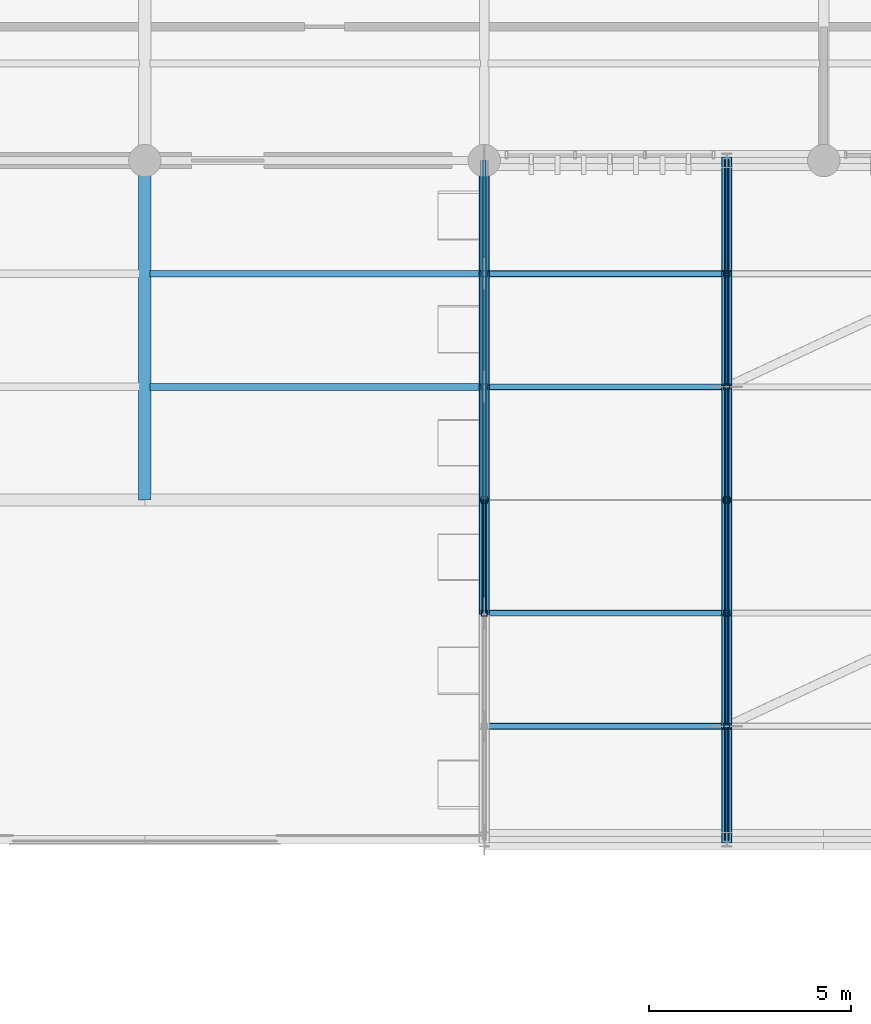
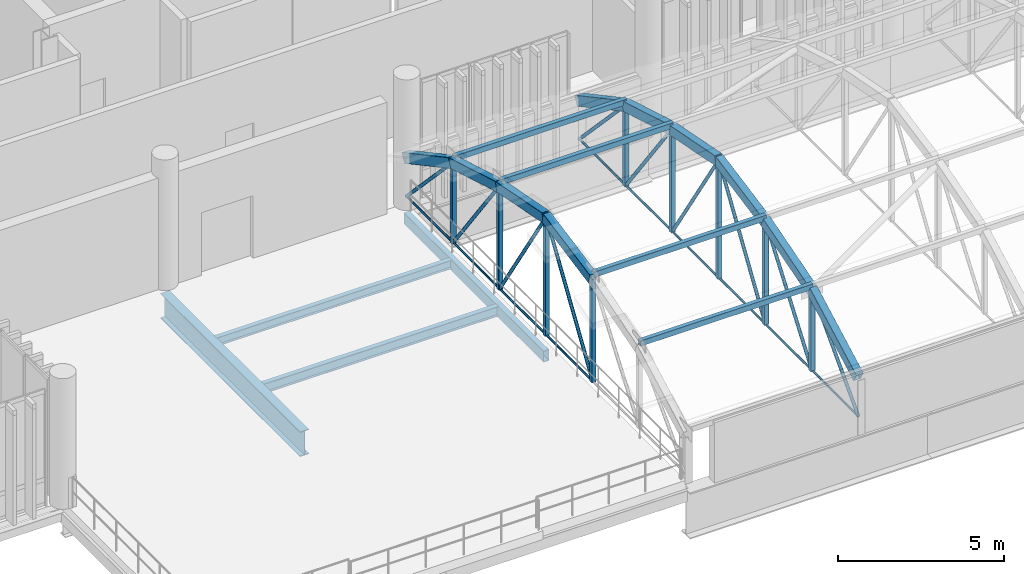
# One storey, part 26 of 109: 33 members, 14 beams.
"""IFC4 building model written with IfcOpenShell, lengths in metres."""

from ifc_helpers import new_model, si_unit, direction, frame, origin_with_axes, origin_2d_with_axis, place, context, subcontext, project, spatial, hollow_rectangle, circle, hollow_circle, i_section, extrude, material, material_profile, profile_set, type_object, element, save


model = new_model("IFC4")

# Units and contexts
model_context = context("Model", 3, precision=1e-05, world=origin_with_axes(), true_north=direction((0.0, 1.0)))
body_context = subcontext(model_context, "Body", "Model", "MODEL_VIEW")
ifc_project = project(units=[si_unit("LENGTHUNIT", "METRE"), si_unit("AREAUNIT", "SQUARE_METRE"), si_unit("VOLUMEUNIT", "CUBIC_METRE"), si_unit("PLANEANGLEUNIT", "RADIAN"), si_unit("MASSUNIT", "GRAM", prefix="KILO"), si_unit("THERMODYNAMICTEMPERATUREUNIT", "KELVIN")], contexts=[model_context])

# Site, building, storey
site_placement = place(None, origin_with_axes())
site = spatial("IfcSite", under=ifc_project, at=site_placement, CompositionType="ELEMENT")
building_placement = place(site_placement, origin_with_axes())
building = spatial("IfcBuilding", under=site, at=building_placement, Name="Montbau Bow Law Courts", CompositionType="ELEMENT")
storey_placement = place(building_placement, frame((0.0, 0.0, 10.8), z_axis=(0.0, 0.0, 1.0), x_axis=(1.0, 0.0, 0.0)))
storey = spatial("IfcBuildingStorey", under=building, at=storey_placement, Name="L02", CompositionType="ELEMENT", Elevation=10.8)

# Beams
ifc_material_1 = material(Name="Steel CSA G40.21 Grade 350WT (350 MPa)", Category="steel")
ifc_material_profile_1 = material_profile(ifc_material_1, hollow_rectangle(XDim=0.254, YDim=0.356, WallThickness=0.0127, InnerFilletRadius=0.0254, OuterFilletRadius=0.0127, at=origin_2d_with_axis()), Name="HSS356X254X13", Category="Main", Priority=0)
ifc_profile_set_1 = profile_set([ifc_material_profile_1], Name="Steel CSA G40.21 Grade 350WT (350 MPa)")
beam_type_1 = type_object("IfcBeamType", Name="B-ARC-01", PredefinedType="USERDEFINED", material=ifc_profile_set_1)
for number, where, z_axis, x_axis, name in (
    (1, (63.6, 27.8, 14.834), (0.0, 0.981513084, 0.191395051), (-1.0, 0.0, 0.0), "Barrel vault roof truss arch rib V4-051"),
    (2, (63.6, 30.6, 15.38), (0.0, 0.981513084, -0.191395051), (-1.0, 0.0, 0.0), "Barrel vault roof truss arch rib V4-052"),
):
    element("IfcBeam", number, at=place(None, frame(where, z_axis=z_axis, x_axis=x_axis)), inside=storey, type_object=beam_type_1, Name=name, ObjectType="ARCH_RIB", PredefinedType="USERDEFINED", context=body_context, shape_type="SweptSolid", body=[
        extrude(hollow_rectangle(XDim=0.254, YDim=0.356, WallThickness=0.0127, InnerFilletRadius=0.0254, OuterFilletRadius=0.0127, at=origin_2d_with_axis()), origin_with_axes(), (0.0, 0.0, 1.0), 2.852738),
    ])
beam_1_placement = place(None, frame((63.6, 33.4, 14.834), z_axis=(0.0, 0.958856822, -0.283890109), x_axis=(-1.0, 0.0, 0.0)))
element("IfcBeam", 3, at=beam_1_placement, inside=storey, type_object=beam_type_1, Name="Barrel vault roof truss arch rib V4-053", ObjectType="ARCH_RIB", PredefinedType="USERDEFINED", context=body_context, shape_type="SweptSolid", body=[
    extrude(hollow_rectangle(XDim=0.254, YDim=0.356, WallThickness=0.0127, InnerFilletRadius=0.0254, OuterFilletRadius=0.0127, at=origin_2d_with_axis()), origin_with_axes(), (0.0, 0.0, 1.0), 2.920144),
])
for number, where, z_axis, x_axis, name in (
    (4, (63.6, 36.2, 14.005), (0.0, 0.880824397, -0.473443113), (-1.0, 0.0, 0.0), "Barrel vault roof truss arch rib V4-054"),
    (5, (69.6, 22.2, 12.5), (0.0, 0.880824397, 0.473443113), (-1.0, 0.0, 0.0), "Barrel vault roof truss arch rib V4-055"),
):
    element("IfcBeam", number, at=place(None, frame(where, z_axis=z_axis, x_axis=x_axis)), inside=storey, type_object=beam_type_1, Name=name, ObjectType="ARCH_RIB", PredefinedType="USERDEFINED", context=body_context, shape_type="SweptSolid", body=[
        extrude(hollow_rectangle(XDim=0.254, YDim=0.356, WallThickness=0.0127, InnerFilletRadius=0.0254, OuterFilletRadius=0.0127, at=origin_2d_with_axis()), origin_with_axes(), (0.0, 0.0, 1.0), 3.17884),
    ])
beam_2_placement = place(None, frame((69.6, 25.0, 14.005), z_axis=(0.0, 0.958856822, 0.283890109), x_axis=(-1.0, 0.0, 0.0)))
element("IfcBeam", 6, at=beam_2_placement, inside=storey, type_object=beam_type_1, Name="Barrel vault roof truss arch rib V4-056", ObjectType="ARCH_RIB", PredefinedType="USERDEFINED", context=body_context, shape_type="SweptSolid", body=[
    extrude(hollow_rectangle(XDim=0.254, YDim=0.356, WallThickness=0.0127, InnerFilletRadius=0.0254, OuterFilletRadius=0.0127, at=origin_2d_with_axis()), origin_with_axes(), (0.0, 0.0, 1.0), 2.920144),
])
for number, where, z_axis, x_axis, name in (
    (7, (69.6, 27.8, 14.834), (0.0, 0.981513084, 0.191395051), (-1.0, 0.0, 0.0), "Barrel vault roof truss arch rib V4-057"),
    (8, (69.6, 30.6, 15.38), (0.0, 0.981513084, -0.191395051), (-1.0, 0.0, 0.0), "Barrel vault roof truss arch rib V4-058"),
):
    element("IfcBeam", number, at=place(None, frame(where, z_axis=z_axis, x_axis=x_axis)), inside=storey, type_object=beam_type_1, Name=name, ObjectType="ARCH_RIB", PredefinedType="USERDEFINED", context=body_context, shape_type="SweptSolid", body=[
        extrude(hollow_rectangle(XDim=0.254, YDim=0.356, WallThickness=0.0127, InnerFilletRadius=0.0254, OuterFilletRadius=0.0127, at=origin_2d_with_axis()), origin_with_axes(), (0.0, 0.0, 1.0), 2.852738),
    ])
beam_3_placement = place(None, frame((69.6, 33.4, 14.834), z_axis=(0.0, 0.958856822, -0.283890109), x_axis=(-1.0, 0.0, 0.0)))
element("IfcBeam", 9, at=beam_3_placement, inside=storey, type_object=beam_type_1, Name="Barrel vault roof truss arch rib V4-059", ObjectType="ARCH_RIB", PredefinedType="USERDEFINED", context=body_context, shape_type="SweptSolid", body=[
    extrude(hollow_rectangle(XDim=0.254, YDim=0.356, WallThickness=0.0127, InnerFilletRadius=0.0254, OuterFilletRadius=0.0127, at=origin_2d_with_axis()), origin_with_axes(), (0.0, 0.0, 1.0), 2.920144),
])
beam_4_placement = place(None, frame((69.6, 36.2, 14.005), z_axis=(0.0, 0.880824397, -0.473443113), x_axis=(-1.0, 0.0, 0.0)))
element("IfcBeam", 10, at=beam_4_placement, inside=storey, type_object=beam_type_1, Name="Barrel vault roof truss arch rib V4-060", ObjectType="ARCH_RIB", PredefinedType="USERDEFINED", context=body_context, shape_type="SweptSolid", body=[
    extrude(hollow_rectangle(XDim=0.254, YDim=0.356, WallThickness=0.0127, InnerFilletRadius=0.0254, OuterFilletRadius=0.0127, at=origin_2d_with_axis()), origin_with_axes(), (0.0, 0.0, 1.0), 3.17884),
])
ifc_material_2 = material(Name="Steel CSA G40.21 Grade 350W (350 MPa)", Category="steel")
ifc_material_profile_2 = material_profile(ifc_material_2, i_section(OverallWidth=0.306, OverallDepth=0.919, WebThickness=0.0173, FlangeThickness=0.0279, at=origin_2d_with_axis()), Name="W920X253", Category="Main", Priority=0)
ifc_profile_set_2 = profile_set([ifc_material_profile_2], Name="Steel CSA G40.21 Grade 350W (350 MPa)")
beam_type_2 = type_object("IfcBeamType", Name="B-FLR-01", PredefinedType="BEAM", material=ifc_profile_set_2)
beam_5_placement = place(None, frame((55.2, 30.6, 10.021), z_axis=(0.0, 1.0, 0.0), x_axis=(-1.0, 0.0, 0.0)))
element("IfcBeam", 11, at=beam_5_placement, inside=storey, type_object=beam_type_2, Name="BM-L02-S0474:bm2_0477", PredefinedType="BEAM", context=body_context, shape_type="SweptSolid", body=[
    extrude(i_section(OverallWidth=0.306, OverallDepth=0.919, WebThickness=0.0173, FlangeThickness=0.0279, at=origin_2d_with_axis()), origin_with_axes(), (0.0, 0.0, 1.0), 8.4),
])
ifc_material_profile_3 = material_profile(ifc_material_2, i_section(OverallWidth=0.172, OverallDepth=0.358, WebThickness=0.0079, FlangeThickness=0.0131, at=origin_2d_with_axis()), Name="W360X57", Category="Main", Priority=0)
ifc_profile_set_3 = profile_set([ifc_material_profile_3], Name="Steel CSA G40.21 Grade 350W (350 MPa)")
beam_type_3 = type_object("IfcBeamType", Name="B-JST-03", PredefinedType="JOIST", material=ifc_profile_set_3)
beam_6_placement = place(None, frame((55.329, 33.4, 10.301), z_axis=(1.0, 0.0, 0.0), x_axis=(0.0, 1.0, 0.0)))
element("IfcBeam", 12, at=beam_6_placement, inside=storey, type_object=beam_type_3, Name="JST-L02-S0230:jst2_0230", PredefinedType="JOIST", context=body_context, shape_type="SweptSolid", body=[
    extrude(i_section(OverallWidth=0.172, OverallDepth=0.358, WebThickness=0.0079, FlangeThickness=0.0131, at=origin_2d_with_axis()), origin_with_axes(), (0.0, 0.0, 1.0), 8.191),
])
ifc_material_profile_4 = material_profile(ifc_material_2, i_section(OverallWidth=0.166, OverallDepth=0.313, WebThickness=0.0066, FlangeThickness=0.0112, at=origin_2d_with_axis()), Name="W310X45", Category="Main", Priority=0)
ifc_profile_set_4 = profile_set([ifc_material_profile_4], Name="Steel CSA G40.21 Grade 350W (350 MPa)")
beam_type_4 = type_object("IfcBeamType", Name="B-JST-04", PredefinedType="JOIST", material=ifc_profile_set_4)
beam_7_placement = place(None, frame((55.329, 36.2, 10.324), z_axis=(1.0, 0.0, 0.0), x_axis=(0.0, 1.0, 0.0)))
element("IfcBeam", 13, at=beam_7_placement, inside=storey, type_object=beam_type_4, Name="JST-L02-S0231:jst2_0231", PredefinedType="JOIST", context=body_context, shape_type="SweptSolid", body=[
    extrude(i_section(OverallWidth=0.166, OverallDepth=0.313, WebThickness=0.0066, FlangeThickness=0.0112, at=origin_2d_with_axis()), origin_with_axes(), (0.0, 0.0, 1.0), 8.191),
])
ifc_material_profile_5 = material_profile(ifc_material_1, hollow_rectangle(XDim=0.203, YDim=0.406, WallThickness=0.0127, InnerFilletRadius=0.0254, OuterFilletRadius=0.0127, at=origin_2d_with_axis()), Name="HSS406X203X13", Category="Main", Priority=0)
ifc_profile_set_5 = profile_set([ifc_material_profile_5], Name="Steel CSA G40.21 Grade 350WT (350 MPa)")
beam_type_5 = type_object("IfcBeamType", Name="B-SPN-01", PredefinedType="SPANDREL", material=ifc_profile_set_5)
beam_8_placement = place(None, frame((63.6, 30.6, 10.277), z_axis=(0.0, 1.0, 0.0), x_axis=(-1.0, 0.0, 0.0)))
element("IfcBeam", 14, at=beam_8_placement, inside=storey, type_object=beam_type_5, Name="SPN-L02-S0476:bm2_0479", PredefinedType="SPANDREL", context=body_context, shape_type="SweptSolid", body=[
    extrude(hollow_rectangle(XDim=0.203, YDim=0.406, WallThickness=0.0127, InnerFilletRadius=0.0254, OuterFilletRadius=0.0127, at=origin_2d_with_axis()), origin_with_axes(), (0.0, 0.0, 1.0), 8.4),
])

# Members
ifc_material_profile_6 = material_profile(ifc_material_1, hollow_rectangle(XDim=0.152, YDim=0.203, WallThickness=0.0095, InnerFilletRadius=0.019, OuterFilletRadius=0.0095, at=origin_2d_with_axis()), Name="HSS203X152X9.5", Category="Main", Priority=0)
ifc_profile_set_6 = profile_set([ifc_material_profile_6], Name="Steel CSA G40.21 Grade 350WT (350 MPa)")
member_type_1 = type_object("IfcMemberType", Name="M-PUR-01", PredefinedType="PURLIN", material=ifc_profile_set_6)
for number, where, z_axis, x_axis, name in (
    (15, (63.6, 25.0, 14.163), (1.0, 0.0, 0.0), (0.0, 1.0, 0.0), "Barrel vault roof truss purlin V4-051"),
    (16, (63.6, 27.8, 14.992), (1.0, 0.0, 0.0), (0.0, 1.0, 0.0), "Barrel vault roof truss purlin V4-052"),
    (17, (63.6, 33.4, 14.992), (1.0, 0.0, 0.0), (0.0, 1.0, 0.0), "Barrel vault roof truss purlin V4-054"),
    (18, (63.6, 36.2, 14.163), (1.0, 0.0, 0.0), (0.0, 1.0, 0.0), "Barrel vault roof truss purlin V4-055"),
):
    element("IfcMember", number, at=place(None, frame(where, z_axis=z_axis, x_axis=x_axis)), inside=storey, type_object=member_type_1, Name=name, PredefinedType="PURLIN", context=body_context, shape_type="SweptSolid", body=[
        extrude(hollow_rectangle(XDim=0.152, YDim=0.203, WallThickness=0.0095, InnerFilletRadius=0.019, OuterFilletRadius=0.0095, at=origin_2d_with_axis()), origin_with_axes(), (0.0, 0.0, 1.0), 6.0),
    ])
ifc_material_profile_7 = material_profile(ifc_material_1, hollow_rectangle(XDim=0.152, YDim=0.152, WallThickness=0.0095, InnerFilletRadius=0.019, OuterFilletRadius=0.0095, at=origin_2d_with_axis()), Name="HSS152X152X9.5", Category="Main", Priority=0)
ifc_profile_set_7 = profile_set([ifc_material_profile_7], Name="Steel CSA G40.21 Grade 350WT (350 MPa)")
member_type_2 = type_object("IfcMemberType", Name="M-STR-02", PredefinedType="STRUT", material=ifc_profile_set_7)
member_1_placement = place(None, frame((63.6, 27.8, 11.05), z_axis=(0.0, 0.0, 1.0), x_axis=(1.0, 0.0, 0.0)))
element("IfcMember", 19, at=member_1_placement, inside=storey, type_object=member_type_2, Name="Barrel vault roof truss web post V4-01-2", PredefinedType="STRUT", context=body_context, shape_type="SweptSolid", body=[
    extrude(hollow_rectangle(XDim=0.152, YDim=0.152, WallThickness=0.0095, InnerFilletRadius=0.019, OuterFilletRadius=0.0095, at=origin_2d_with_axis()), origin_with_axes(), (0.0, 0.0, 1.0), 3.784),
])
member_2_placement = place(None, frame((63.6, 30.6, 11.05), z_axis=(0.0, 0.0, 1.0), x_axis=(1.0, 0.0, 0.0)))
element("IfcMember", 20, at=member_2_placement, inside=storey, type_object=member_type_2, Name="Barrel vault roof truss web post V4-01-3", PredefinedType="STRUT", context=body_context, shape_type="SweptSolid", body=[
    extrude(hollow_rectangle(XDim=0.152, YDim=0.152, WallThickness=0.0095, InnerFilletRadius=0.019, OuterFilletRadius=0.0095, at=origin_2d_with_axis()), origin_with_axes(), (0.0, 0.0, 1.0), 4.33),
])
member_3_placement = place(None, frame((63.6, 33.4, 11.05), z_axis=(0.0, 0.0, 1.0), x_axis=(1.0, 0.0, 0.0)))
element("IfcMember", 21, at=member_3_placement, inside=storey, type_object=member_type_2, Name="Barrel vault roof truss web post V4-01-4", PredefinedType="STRUT", context=body_context, shape_type="SweptSolid", body=[
    extrude(hollow_rectangle(XDim=0.152, YDim=0.152, WallThickness=0.0095, InnerFilletRadius=0.019, OuterFilletRadius=0.0095, at=origin_2d_with_axis()), origin_with_axes(), (0.0, 0.0, 1.0), 3.784),
])
for number, where, z_axis, x_axis, name in (
    (22, (63.6, 36.2, 11.05), (0.0, 0.0, 1.0), (1.0, 0.0, 0.0), "Barrel vault roof truss web post V4-01-5"),
    (23, (69.6, 25.0, 11.05), (0.0, 0.0, 1.0), (1.0, 0.0, 0.0), "Barrel vault roof truss web post V4-02-1"),
):
    element("IfcMember", number, at=place(None, frame(where, z_axis=z_axis, x_axis=x_axis)), inside=storey, type_object=member_type_2, Name=name, PredefinedType="STRUT", context=body_context, shape_type="SweptSolid", body=[
        extrude(hollow_rectangle(XDim=0.152, YDim=0.152, WallThickness=0.0095, InnerFilletRadius=0.019, OuterFilletRadius=0.0095, at=origin_2d_with_axis()), origin_with_axes(), (0.0, 0.0, 1.0), 2.955),
    ])
member_4_placement = place(None, frame((69.6, 27.8, 11.05), z_axis=(0.0, 0.0, 1.0), x_axis=(1.0, 0.0, 0.0)))
element("IfcMember", 24, at=member_4_placement, inside=storey, type_object=member_type_2, Name="Barrel vault roof truss web post V4-02-2", PredefinedType="STRUT", context=body_context, shape_type="SweptSolid", body=[
    extrude(hollow_rectangle(XDim=0.152, YDim=0.152, WallThickness=0.0095, InnerFilletRadius=0.019, OuterFilletRadius=0.0095, at=origin_2d_with_axis()), origin_with_axes(), (0.0, 0.0, 1.0), 3.784),
])
member_5_placement = place(None, frame((69.6, 30.6, 11.05), z_axis=(0.0, 0.0, 1.0), x_axis=(1.0, 0.0, 0.0)))
element("IfcMember", 25, at=member_5_placement, inside=storey, type_object=member_type_2, Name="Barrel vault roof truss web post V4-02-3", PredefinedType="STRUT", context=body_context, shape_type="SweptSolid", body=[
    extrude(hollow_rectangle(XDim=0.152, YDim=0.152, WallThickness=0.0095, InnerFilletRadius=0.019, OuterFilletRadius=0.0095, at=origin_2d_with_axis()), origin_with_axes(), (0.0, 0.0, 1.0), 4.33),
])
member_6_placement = place(None, frame((69.6, 33.4, 11.05), z_axis=(0.0, 0.0, 1.0), x_axis=(1.0, 0.0, 0.0)))
element("IfcMember", 26, at=member_6_placement, inside=storey, type_object=member_type_2, Name="Barrel vault roof truss web post V4-02-4", PredefinedType="STRUT", context=body_context, shape_type="SweptSolid", body=[
    extrude(hollow_rectangle(XDim=0.152, YDim=0.152, WallThickness=0.0095, InnerFilletRadius=0.019, OuterFilletRadius=0.0095, at=origin_2d_with_axis()), origin_with_axes(), (0.0, 0.0, 1.0), 3.784),
])
member_7_placement = place(None, frame((69.6, 36.2, 11.05), z_axis=(0.0, 0.0, 1.0), x_axis=(1.0, 0.0, 0.0)))
element("IfcMember", 27, at=member_7_placement, inside=storey, type_object=member_type_2, Name="Barrel vault roof truss web post V4-02-5", PredefinedType="STRUT", context=body_context, shape_type="SweptSolid", body=[
    extrude(hollow_rectangle(XDim=0.152, YDim=0.152, WallThickness=0.0095, InnerFilletRadius=0.019, OuterFilletRadius=0.0095, at=origin_2d_with_axis()), origin_with_axes(), (0.0, 0.0, 1.0), 2.955),
])
ifc_material_profile_8 = material_profile(ifc_material_1, hollow_circle(Radius=0.057, WallThickness=0.008, at=origin_2d_with_axis()), Name="HSS114X8.0", Category="Main", Priority=0)
ifc_profile_set_8 = profile_set([ifc_material_profile_8], Name="Steel CSA G40.21 Grade 350WT (350 MPa)")
member_type_3 = type_object("IfcMemberType", Name="M-STR-03", PredefinedType="STRUT", material=ifc_profile_set_8)
for number, where, z_axis, x_axis, name in (
    (28, (63.6, 27.8, 11.05), (0.0, 0.543010023, 0.839726214), (-1.0, 0.0, 0.0), "Barrel vault roof truss web diagonal V4-01-3"),
    (29, (63.6, 30.6, 15.38), (0.0, 0.543010023, -0.839726214), (-1.0, 0.0, 0.0), "Barrel vault roof truss web diagonal V4-01-4"),
):
    element("IfcMember", number, at=place(None, frame(where, z_axis=z_axis, x_axis=x_axis)), inside=storey, type_object=member_type_3, Name=name, PredefinedType="STRUT", context=body_context, shape_type="SweptSolid", body=[
        extrude(hollow_circle(Radius=0.057, WallThickness=0.008, at=origin_2d_with_axis()), origin_with_axes(), (0.0, 0.0, 1.0), 5.156443),
    ])
member_8_placement = place(None, frame((63.6, 33.4, 14.834), z_axis=(0.0, 0.594821042, -0.803858151), x_axis=(-1.0, 0.0, 0.0)))
element("IfcMember", 30, at=member_8_placement, inside=storey, type_object=member_type_3, Name="Barrel vault roof truss web diagonal V4-01-5", PredefinedType="STRUT", context=body_context, shape_type="SweptSolid", body=[
    extrude(hollow_circle(Radius=0.057, WallThickness=0.008, at=origin_2d_with_axis()), origin_with_axes(), (0.0, 0.0, 1.0), 4.707298),
])
for number, where, z_axis, x_axis, name in (
    (31, (63.6, 36.2, 14.005), (0.0, 0.687812781, -0.725888131), (-1.0, 0.0, 0.0), "Barrel vault roof truss web diagonal V4-01-6"),
    (32, (69.6, 22.2, 11.05), (0.0, 0.687812781, 0.725888131), (-1.0, 0.0, 0.0), "Barrel vault roof truss web diagonal V4-02-1"),
):
    element("IfcMember", number, at=place(None, frame(where, z_axis=z_axis, x_axis=x_axis)), inside=storey, type_object=member_type_3, Name=name, PredefinedType="STRUT", context=body_context, shape_type="SweptSolid", body=[
        extrude(hollow_circle(Radius=0.057, WallThickness=0.008, at=origin_2d_with_axis()), origin_with_axes(), (0.0, 0.0, 1.0), 4.070875),
    ])
member_9_placement = place(None, frame((69.6, 25.0, 11.05), z_axis=(0.0, 0.594821042, 0.803858151), x_axis=(-1.0, 0.0, 0.0)))
element("IfcMember", 33, at=member_9_placement, inside=storey, type_object=member_type_3, Name="Barrel vault roof truss web diagonal V4-02-2", PredefinedType="STRUT", context=body_context, shape_type="SweptSolid", body=[
    extrude(hollow_circle(Radius=0.057, WallThickness=0.008, at=origin_2d_with_axis()), origin_with_axes(), (0.0, 0.0, 1.0), 4.707298),
])
for number, where, z_axis, x_axis, name in (
    (34, (69.6, 27.8, 11.05), (0.0, 0.543010023, 0.839726214), (-1.0, 0.0, 0.0), "Barrel vault roof truss web diagonal V4-02-3"),
    (35, (69.6, 30.6, 15.38), (0.0, 0.543010023, -0.839726214), (-1.0, 0.0, 0.0), "Barrel vault roof truss web diagonal V4-02-4"),
):
    element("IfcMember", number, at=place(None, frame(where, z_axis=z_axis, x_axis=x_axis)), inside=storey, type_object=member_type_3, Name=name, PredefinedType="STRUT", context=body_context, shape_type="SweptSolid", body=[
        extrude(hollow_circle(Radius=0.057, WallThickness=0.008, at=origin_2d_with_axis()), origin_with_axes(), (0.0, 0.0, 1.0), 5.156443),
    ])
member_10_placement = place(None, frame((69.6, 33.4, 14.834), z_axis=(0.0, 0.594821042, -0.803858151), x_axis=(-1.0, 0.0, 0.0)))
element("IfcMember", 36, at=member_10_placement, inside=storey, type_object=member_type_3, Name="Barrel vault roof truss web diagonal V4-02-5", PredefinedType="STRUT", context=body_context, shape_type="SweptSolid", body=[
    extrude(hollow_circle(Radius=0.057, WallThickness=0.008, at=origin_2d_with_axis()), origin_with_axes(), (0.0, 0.0, 1.0), 4.707298),
])
member_11_placement = place(None, frame((69.6, 36.2, 14.005), z_axis=(0.0, 0.687812781, -0.725888131), x_axis=(-1.0, 0.0, 0.0)))
element("IfcMember", 37, at=member_11_placement, inside=storey, type_object=member_type_3, Name="Barrel vault roof truss web diagonal V4-02-6", PredefinedType="STRUT", context=body_context, shape_type="SweptSolid", body=[
    extrude(hollow_circle(Radius=0.057, WallThickness=0.008, at=origin_2d_with_axis()), origin_with_axes(), (0.0, 0.0, 1.0), 4.070875),
])
ifc_material_profile_9 = material_profile(ifc_material_1, circle(Radius=0.038, at=origin_2d_with_axis()), Name="ROD76", Category="Main", Priority=0)
ifc_profile_set_9 = profile_set([ifc_material_profile_9], Name="Steel CSA G40.21 Grade 350WT (350 MPa)")
member_type_4 = type_object("IfcMemberType", Name="M-TIE-01", PredefinedType="USERDEFINED", material=ifc_profile_set_9)
for number, where, z_axis, x_axis, name in (
    (38, (63.6, 27.8, 11.05), (0.0, 1.0, 0.0), (-1.0, 0.0, 0.0), "Barrel vault roof truss tie V4-051"),
    (39, (63.6, 30.6, 11.05), (0.0, 1.0, 0.0), (-1.0, 0.0, 0.0), "Barrel vault roof truss tie V4-052"),
    (40, (63.6, 33.4, 11.05), (0.0, 1.0, 0.0), (-1.0, 0.0, 0.0), "Barrel vault roof truss tie V4-053"),
    (41, (63.6, 36.2, 11.05), (0.0, 1.0, 0.0), (-1.0, 0.0, 0.0), "Barrel vault roof truss tie V4-054"),
    (42, (69.6, 22.2, 11.05), (0.0, 1.0, 0.0), (-1.0, 0.0, 0.0), "Barrel vault roof truss tie V4-055"),
    (43, (69.6, 25.0, 11.05), (0.0, 1.0, 0.0), (-1.0, 0.0, 0.0), "Barrel vault roof truss tie V4-056"),
    (44, (69.6, 27.8, 11.05), (0.0, 1.0, 0.0), (-1.0, 0.0, 0.0), "Barrel vault roof truss tie V4-057"),
    (45, (69.6, 30.6, 11.05), (0.0, 1.0, 0.0), (-1.0, 0.0, 0.0), "Barrel vault roof truss tie V4-058"),
    (46, (69.6, 33.4, 11.05), (0.0, 1.0, 0.0), (-1.0, 0.0, 0.0), "Barrel vault roof truss tie V4-059"),
    (47, (69.6, 36.2, 11.05), (0.0, 1.0, 0.0), (-1.0, 0.0, 0.0), "Barrel vault roof truss tie V4-060"),
):
    element("IfcMember", number, at=place(None, frame(where, z_axis=z_axis, x_axis=x_axis)), inside=storey, type_object=member_type_4, Name=name, ObjectType="TIEBAR", PredefinedType="USERDEFINED", context=body_context, shape_type="SweptSolid", body=[
        extrude(circle(Radius=0.038, at=origin_2d_with_axis()), origin_with_axes(), (0.0, 0.0, 1.0), 2.8),
    ])

save(model, "model.ifc")
